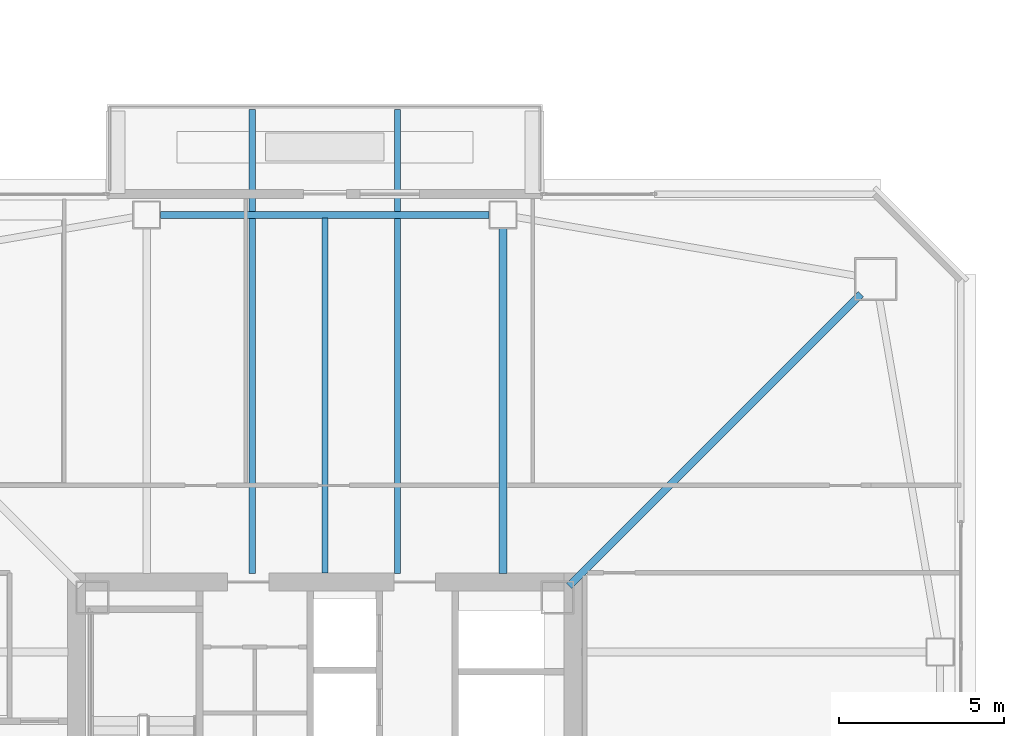
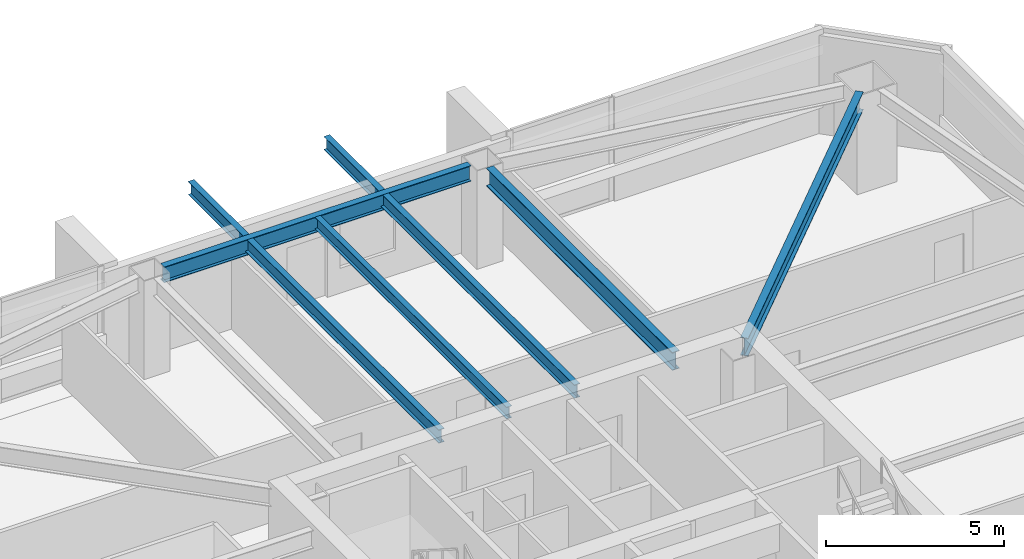
# One storey, part 14 of 41: 6 beams.
"""IFC4 building model written with IfcOpenShell, lengths in metres."""

from ifc_helpers import new_model, si_unit, direction, frame, origin, origin_2d, place, context, subcontext, project, spatial, i_section, extrude, material, material_profile, profile_set, type_object, element, save


model = new_model("IFC4")

# Units and contexts
model_context = context("Model", 3, precision=1e-05, world=origin(), true_north=direction((0.0, 1.0)))
body_context = subcontext(model_context, "Body", "Model", "MODEL_VIEW")
ifc_project = project(units=[si_unit("LENGTHUNIT", "METRE"), si_unit("AREAUNIT", "SQUARE_METRE"), si_unit("VOLUMEUNIT", "CUBIC_METRE"), si_unit("PLANEANGLEUNIT", "RADIAN"), si_unit("MASSUNIT", "GRAM", prefix="KILO")], contexts=[model_context])

# Site, building, storey
site_placement = place(None, origin())
site = spatial("IfcSite", under=ifc_project, at=site_placement, CompositionType="ELEMENT")
building_placement = place(site_placement, origin())
building = spatial("IfcBuilding", under=site, at=building_placement, Name="Tashvorn Skyway Center", CompositionType="ELEMENT")
storey_placement = place(building_placement, frame((0.0, 0.0, 146.35009765625)))
storey = spatial("IfcBuildingStorey", under=building, at=storey_placement, Name="L39", CompositionType="ELEMENT", Elevation=146.35009765625)

# Beams
ifc_material = material(Name="Steel ASTM A992 Grade 50", Category="steel")
ifc_material_profile_1 = material_profile(ifc_material, i_section(OverallWidth=0.22998046875, OverallDepth=0.616943359375, WebThickness=0.01318359375, FlangeThickness=0.022216796875, at=origin_2d()), Name="W24X94")
ifc_profile_set_1 = profile_set([ifc_material_profile_1], Name="Steel ASTM A992 Grade 50")
beam_type_1 = type_object("IfcBeamType", Name="BM-BEAM-W24X94", PredefinedType="BEAM", material=ifc_profile_set_1)
beam_1_placement = place(storey_placement, frame((58.243896484375, 48.243896484375, 3.0615234375), z_axis=(-0.707106781187, -0.707106781187, 0.0), x_axis=(0.707106781187, -0.707106781187, 0.0)))
element("IfcBeam", 1, at=beam_1_placement, inside=storey, type_object=beam_type_1, Name="Tower 1 L39 Primary Floor Girder MC-NE", PredefinedType="BEAM", context=body_context, shape_type="SweptSolid", body=[
    extrude(i_section(OverallWidth=0.22998046875, OverallDepth=0.616943359375, WebThickness=0.01318359375, FlangeThickness=0.022216796875, at=origin_2d()), origin(), (0.0, 0.0, 1.0), 12.50732421875),
])
beam_2_placement = place(storey_placement, frame((47.39990234375, 50.22998046875, 3.0615234375), z_axis=(0.0, -1.0, 0.0), x_axis=(1.0, 0.0, 0.0)))
element("IfcBeam", 2, at=beam_2_placement, inside=storey, type_object=beam_type_1, Name="Tower 1 L39 Primary Floor Girder FC-N1", PredefinedType="BEAM", context=body_context, shape_type="SweptSolid", body=[
    extrude(i_section(OverallWidth=0.22998046875, OverallDepth=0.616943359375, WebThickness=0.01318359375, FlangeThickness=0.022216796875, at=origin_2d()), origin(), (0.0, 0.0, 1.0), 10.449951171875),
])
ifc_material_profile_2 = material_profile(ifc_material, i_section(OverallWidth=0.177978515625, OverallDepth=0.406005859375, WebThickness=0.0078125, FlangeThickness=0.0126953125, at=origin_2d()), Name="W16X40")
ifc_profile_set_2 = profile_set([ifc_material_profile_2], Name="Steel ASTM A992 Grade 50")
beam_type_2 = type_object("IfcBeamType", Name="BM-JOIST-W16X40", PredefinedType="JOIST", material=ifc_profile_set_2)
beam_3_placement = place(storey_placement, frame((42.0, 39.7900390625, 3.1669921875), z_axis=(0.0, 1.0, 0.0), x_axis=(-1.0, 0.0, 0.0)))
element("IfcBeam", 3, at=beam_3_placement, inside=storey, type_object=beam_type_2, Name="Tower 1 L39 Secondary Composite Joist JN", PredefinedType="JOIST", context=body_context, shape_type="SweptSolid", body=[
    extrude(i_section(OverallWidth=0.177978515625, OverallDepth=0.406005859375, WebThickness=0.0078125, FlangeThickness=0.0126953125, at=origin_2d()), origin(), (0.0, 0.0, 1.0), 10.762451171875),
])
ifc_material_profile_3 = material_profile(ifc_material, i_section(OverallWidth=0.19091796875, OverallDepth=0.4599609375, WebThickness=0.010009765625, FlangeThickness=0.01611328125, at=origin_2d()), Name="W18X55")
ifc_profile_set_3 = profile_set([ifc_material_profile_3], Name="Steel ASTM A992 Grade 50")
beam_type_3 = type_object("IfcBeamType", Name="BM-JOIST-W18X55", PredefinedType="JOIST", material=ifc_profile_set_3)
for number, where, z_axis, x_axis, name in (
    (4, (39.800048828125, 39.780029296875, 3.139892578125), (0.0, 1.0, 0.0), (-1.0, 0.0, 0.0), "Tower 1 L40 Terrace Cantilever Outlooker 1"),
    (5, (44.199951171875, 39.780029296875, 3.139892578125), (0.0, 1.0, 0.0), (-1.0, 0.0, 0.0), "Tower 1 L40 Terrace Cantilever Outlooker 2"),
):
    element("IfcBeam", number, at=place(storey_placement, frame(where, z_axis=z_axis, x_axis=x_axis)), inside=storey, type_object=beam_type_3, Name=name, PredefinedType="JOIST", context=body_context, shape_type="SweptSolid", body=[
        extrude(i_section(OverallWidth=0.19091796875, OverallDepth=0.4599609375, WebThickness=0.010009765625, FlangeThickness=0.01611328125, at=origin_2d()), origin(), (0.0, 0.0, 1.0), 14.070068359375),
    ])
ifc_material_profile_4 = material_profile(ifc_material, i_section(OverallWidth=0.2109375, OverallDepth=0.5390625, WebThickness=0.01171875, FlangeThickness=0.018798828125, at=origin_2d()), Name="W21X73")
ifc_profile_set_4 = profile_set([ifc_material_profile_4], Name="Steel ASTM A992 Grade 50")
beam_type_4 = type_object("IfcBeamType", Name="BM-SPANDREL-W21X73", PredefinedType="SPANDREL", material=ifc_profile_set_4)
beam_4_placement = place(storey_placement, frame((46.97998046875, 50.64990234375, 3.100341796875), z_axis=(-1.0, 0.0, 0.0), x_axis=(0.0, -1.0, 0.0)))
element("IfcBeam", 6, at=beam_4_placement, inside=storey, type_object=beam_type_4, Name="Tower 1 L39 Spandrel Beam 08", PredefinedType="SPANDREL", context=body_context, shape_type="SweptSolid", body=[
    extrude(i_section(OverallWidth=0.2109375, OverallDepth=0.5390625, WebThickness=0.01171875, FlangeThickness=0.018798828125, at=origin_2d()), origin(), (0.0, 0.0, 1.0), 9.9599609375),
])

save(model, "model.ifc")
